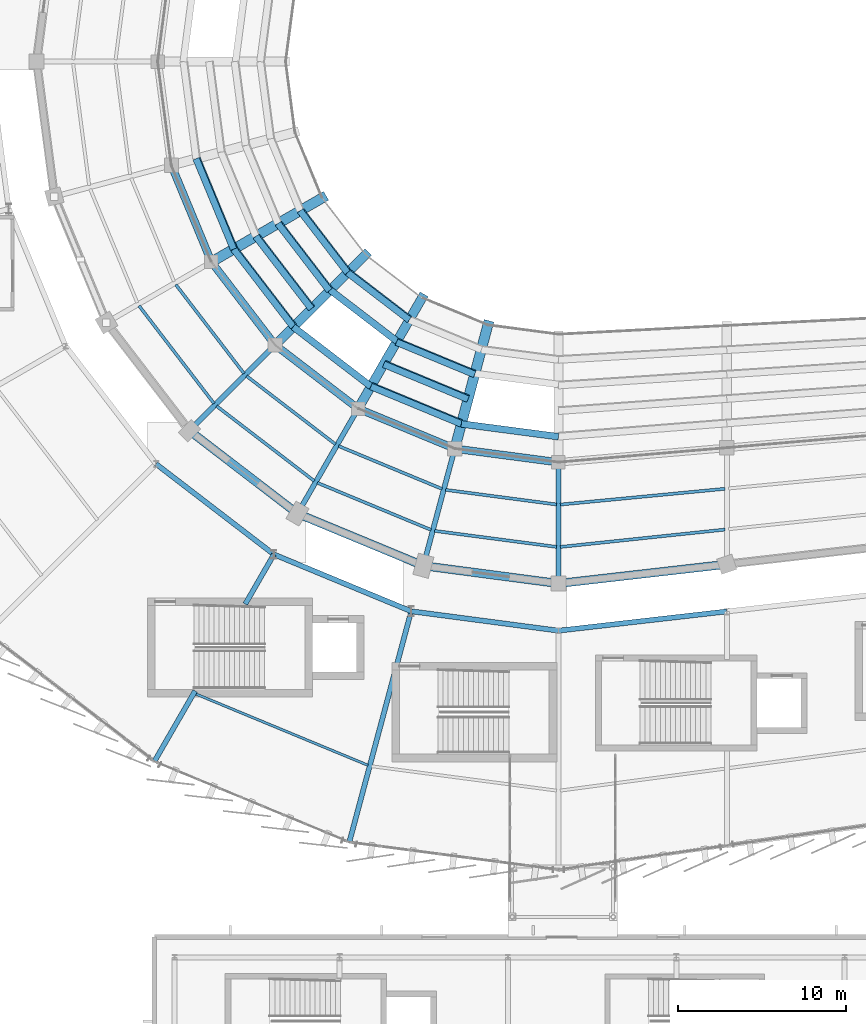
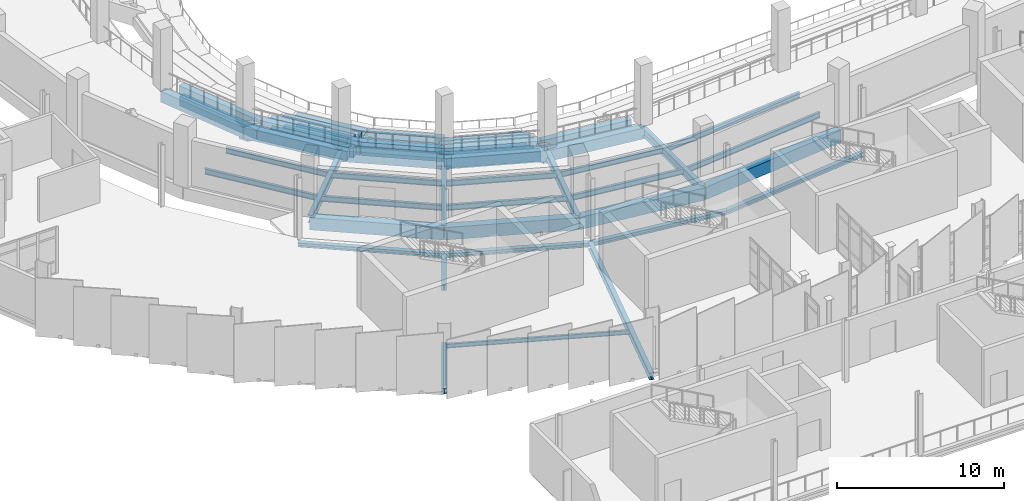
# One storey, part 40 of 134: 56 beams.
"""IFC4 building model written with IfcOpenShell, lengths in metres."""

from ifc_helpers import new_model, si_unit, direction, frame, origin, origin_2d, place, context, subcontext, project, spatial, rectangle, i_section, extrude, material, material_profile, profile_set, type_object, element, save


model = new_model("IFC4")

# Units and contexts
model_context = context("Model", 3, precision=1e-05, world=origin(), true_north=direction((0.0, 1.0)))
body_context = subcontext(model_context, "Body", "Model", "MODEL_VIEW")
ifc_project = project(units=[si_unit("LENGTHUNIT", "METRE"), si_unit("AREAUNIT", "SQUARE_METRE"), si_unit("VOLUMEUNIT", "CUBIC_METRE"), si_unit("PLANEANGLEUNIT", "RADIAN"), si_unit("MASSUNIT", "GRAM", prefix="KILO")], contexts=[model_context])

# Site, building, storey
site_placement = place(None, origin())
site = spatial("IfcSite", under=ifc_project, at=site_placement, CompositionType="ELEMENT")
building_placement = place(site_placement, origin())
building = spatial("IfcBuilding", under=site, at=building_placement, Name="Sohan Crest Arena", CompositionType="ELEMENT")
storey_placement = place(building_placement, frame((0.0, 0.0, 4.5)))
storey = spatial("IfcBuildingStorey", under=building, at=storey_placement, Name="L01", CompositionType="ELEMENT", Elevation=4.5)

# Beams
ifc_material_1 = material(Name="Steel S355", Category="steel")
ifc_material_profile_1 = material_profile(ifc_material_1, i_section(OverallWidth=0.14990234375, OverallDepth=0.300048828125, WebThickness=0.007080078125, FlangeThickness=0.0107421875, at=origin_2d()), Name="IPE 300")
ifc_profile_set_1 = profile_set([ifc_material_profile_1], Name="Steel S355")
beam_type_1 = type_object("IfcBeamType", Name="STR-BM-B01", PredefinedType="JOIST", material=ifc_profile_set_1)
beam_1_placement = place(storey_placement, frame((76.445068359375, 40.447021484375, -0.425048828125), z_axis=(0.923874316241, -0.382696025312, 0.0), x_axis=(0.382696025312, 0.923874316241, 0.0)))
element("IfcBeam", 1, at=beam_1_placement, inside=storey, type_object=beam_type_1, Name="Structural beam J-L01-1134", PredefinedType="JOIST", context=body_context, shape_type="SweptSolid", body=[
    extrude(i_section(OverallWidth=0.14990234375, OverallDepth=0.300048828125, WebThickness=0.007080078125, FlangeThickness=0.0107421875, at=origin_2d()), origin(), (0.0, 0.0, 1.0), 11.0869140625),
])
ifc_material_profile_2 = material_profile(ifc_material_1, i_section(OverallWidth=0.179931640625, OverallDepth=0.39990234375, WebThickness=0.008544921875, FlangeThickness=0.013427734375, at=origin_2d()), Name="IPE 400")
ifc_profile_set_2 = profile_set([ifc_material_profile_2], Name="Steel S355")
beam_type_2 = type_object("IfcBeamType", Name="STR-BM-B03", PredefinedType="JOIST", material=ifc_profile_set_2)
beam_2_placement = place(storey_placement, frame((75.27294921875, 64.7529296875, -0.449951171875), z_axis=(0.608761301523, -0.793353438114, 0.0), x_axis=(0.793353438114, 0.608761301523, 0.0)))
element("IfcBeam", 2, at=beam_2_placement, inside=storey, type_object=beam_type_2, Name="Structural beam J-L01-0243", PredefinedType="JOIST", context=body_context, shape_type="SweptSolid", body=[
    extrude(i_section(OverallWidth=0.179931640625, OverallDepth=0.39990234375, WebThickness=0.008544921875, FlangeThickness=0.013427734375, at=origin_2d()), origin(), (0.0, 0.0, 1.0), 6.6513671875),
])
beam_3_placement = place(storey_placement, frame((73.091064453125, 63.492919921875, -0.449951171875), z_axis=(0.608707802556, -0.793394486436, 0.0), x_axis=(0.793394486436, 0.608707802556, 0.0)))
element("IfcBeam", 3, at=beam_3_placement, inside=storey, type_object=beam_type_2, Name="Structural beam J-L01-0244", PredefinedType="JOIST", context=body_context, shape_type="SweptSolid", body=[
    extrude(i_section(OverallWidth=0.179931640625, OverallDepth=0.39990234375, WebThickness=0.008544921875, FlangeThickness=0.013427734375, at=origin_2d()), origin(), (0.0, 0.0, 1.0), 7.308837890625),
])
beam_4_placement = place(storey_placement, frame((79.47607421875, 59.322021484375, -0.449951171875), z_axis=(0.793353438114, -0.608761301523, 0.0), x_axis=(0.608761301523, 0.793353438114, 0.0)))
element("IfcBeam", 4, at=beam_4_placement, inside=storey, type_object=beam_type_2, Name="Structural beam J-L01-0265", PredefinedType="JOIST", context=body_context, shape_type="SweptSolid", body=[
    extrude(i_section(OverallWidth=0.179931640625, OverallDepth=0.39990234375, WebThickness=0.008544921875, FlangeThickness=0.013427734375, at=origin_2d()), origin(), (0.0, 0.0, 1.0), 6.6513671875),
])
beam_5_placement = place(storey_placement, frame((77.694091796875, 57.5400390625, -0.449951171875), z_axis=(0.793394486436, -0.608707802556, 0.0), x_axis=(0.608707802556, 0.793394486436, 0.0)))
element("IfcBeam", 5, at=beam_5_placement, inside=storey, type_object=beam_type_2, Name="Structural beam J-L01-0266", PredefinedType="JOIST", context=body_context, shape_type="SweptSolid", body=[
    extrude(i_section(OverallWidth=0.179931640625, OverallDepth=0.39990234375, WebThickness=0.008544921875, FlangeThickness=0.013427734375, at=origin_2d()), origin(), (0.0, 0.0, 1.0), 7.308837890625),
])
beam_6_placement = place(storey_placement, frame((84.94189453125, 55.1640625, -0.449951171875), z_axis=(0.923867831396, -0.382711680136, 0.0), x_axis=(0.382711680136, 0.923867831396, 0.0)))
element("IfcBeam", 6, at=beam_6_placement, inside=storey, type_object=beam_type_2, Name="Structural beam J-L01-0287", PredefinedType="JOIST", context=body_context, shape_type="SweptSolid", body=[
    extrude(i_section(OverallWidth=0.179931640625, OverallDepth=0.39990234375, WebThickness=0.008544921875, FlangeThickness=0.013427734375, at=origin_2d()), origin(), (0.0, 0.0, 1.0), 6.650390625),
])
beam_7_placement = place(storey_placement, frame((83.681884765625, 52.98193359375, -0.449951171875), z_axis=(0.923831158032, -0.382800197818, 0.0), x_axis=(0.382800197818, 0.923831158032, 0.0)))
element("IfcBeam", 7, at=beam_7_placement, inside=storey, type_object=beam_type_2, Name="Structural beam J-L01-0288", PredefinedType="JOIST", context=body_context, shape_type="SweptSolid", body=[
    extrude(i_section(OverallWidth=0.179931640625, OverallDepth=0.39990234375, WebThickness=0.008544921875, FlangeThickness=0.013427734375, at=origin_2d()), origin(), (0.0, 0.0, 1.0), 7.308837890625),
])
beam_8_placement = place(storey_placement, frame((91.297119140625, 52.56298828125, -0.449951171875), z_axis=(0.99142966471, -0.130641570465, 0.0), x_axis=(0.130641570465, 0.99142966471, 0.0)))
element("IfcBeam", 8, at=beam_8_placement, inside=storey, type_object=beam_type_2, Name="Structural beam J-L01-0309", PredefinedType="JOIST", context=body_context, shape_type="SweptSolid", body=[
    extrude(i_section(OverallWidth=0.179931640625, OverallDepth=0.39990234375, WebThickness=0.008544921875, FlangeThickness=0.013427734375, at=origin_2d()), origin(), (0.0, 0.0, 1.0), 6.65087890625),
])
beam_9_placement = place(storey_placement, frame((90.64501953125, 50.1279296875, -0.449951171875), z_axis=(0.991446789819, -0.13051154339, 0.0), x_axis=(0.13051154339, 0.991446789819, 0.0)))
element("IfcBeam", 9, at=beam_9_placement, inside=storey, type_object=beam_type_2, Name="Structural beam J-L01-0310", PredefinedType="JOIST", context=body_context, shape_type="SweptSolid", body=[
    extrude(i_section(OverallWidth=0.179931640625, OverallDepth=0.39990234375, WebThickness=0.008544921875, FlangeThickness=0.013427734375, at=origin_2d()), origin(), (0.0, 0.0, 1.0), 7.30859375),
])
beam_10_placement = place(storey_placement, frame((98.10888671875, 51.68994140625, -0.449951171875), z_axis=(0.995443739336, 0.095350730547, 0.0), x_axis=(-0.095350730547, 0.995443739336, 0.0)))
element("IfcBeam", 10, at=beam_10_placement, inside=storey, type_object=beam_type_2, Name="Structural beam J-L01-0331", PredefinedType="JOIST", context=body_context, shape_type="SweptSolid", body=[
    extrude(i_section(OverallWidth=0.179931640625, OverallDepth=0.39990234375, WebThickness=0.008544921875, FlangeThickness=0.013427734375, at=origin_2d()), origin(), (0.0, 0.0, 1.0), 9.826904296875),
])
beam_11_placement = place(storey_placement, frame((98.10888671875, 49.172119140625, -0.449951171875), z_axis=(0.994470991784, 0.105011649352, 0.0), x_axis=(-0.105011649352, 0.994470991784, 0.0)))
element("IfcBeam", 11, at=beam_11_placement, inside=storey, type_object=beam_type_2, Name="Structural beam J-L01-0332", PredefinedType="JOIST", context=body_context, shape_type="SweptSolid", body=[
    extrude(i_section(OverallWidth=0.179931640625, OverallDepth=0.39990234375, WebThickness=0.008544921875, FlangeThickness=0.013427734375, at=origin_2d()), origin(), (0.0, 0.0, 1.0), 9.836669921875),
])
ifc_material_profile_3 = material_profile(ifc_material_1, i_section(OverallWidth=0.300048828125, OverallDepth=0.590087890625, WebThickness=0.012939453125, FlangeThickness=0.02490234375, at=origin_2d()), Name="HEA 600")
ifc_profile_set_3 = profile_set([ifc_material_profile_3], Name="Steel S355")
beam_type_3 = type_object("IfcBeamType", Name="STR-BM-B11", PredefinedType="BEAM", material=ifc_profile_set_3)
beam_12_placement = place(storey_placement, frame((81.1708984375, 61.1708984375, -0.544921875), z_axis=(-0.707106781187, -0.707106781187, 0.0), x_axis=(0.707106781187, -0.707106781187, 0.0)))
element("IfcBeam", 12, at=beam_12_placement, inside=storey, type_object=beam_type_3, Name="Structural beam G-L01-0264", PredefinedType="BEAM", context=body_context, shape_type="SweptSolid", body=[
    extrude(i_section(OverallWidth=0.300048828125, OverallDepth=0.590087890625, WebThickness=0.012939453125, FlangeThickness=0.02490234375, at=origin_2d()), origin(), (0.0, 0.0, 1.0), 7.199462890625),
])
beam_13_placement = place(storey_placement, frame((86.10009765625, 57.388916015625, -0.544921875), z_axis=(-0.499982693035, -0.866035395735, 0.0), x_axis=(0.866035395735, -0.499982693035, 0.0)))
element("IfcBeam", 13, at=beam_13_placement, inside=storey, type_object=beam_type_3, Name="Structural beam G-L01-0286", PredefinedType="BEAM", context=body_context, shape_type="SweptSolid", body=[
    extrude(i_section(OverallWidth=0.300048828125, OverallDepth=0.590087890625, WebThickness=0.012939453125, FlangeThickness=0.02490234375, at=origin_2d()), origin(), (0.0, 0.0, 1.0), 7.200439453125),
])
beam_14_placement = place(storey_placement, frame((91.840087890625, 55.010986328125, -0.544921875), z_axis=(-0.258745124417, -0.965945630245, 0.0), x_axis=(0.965945630245, -0.258745124417, 0.0)))
element("IfcBeam", 14, at=beam_14_placement, inside=storey, type_object=beam_type_3, Name="Structural beam G-L01-0308", PredefinedType="BEAM", context=body_context, shape_type="SweptSolid", body=[
    extrude(i_section(OverallWidth=0.300048828125, OverallDepth=0.590087890625, WebThickness=0.012939453125, FlangeThickness=0.02490234375, at=origin_2d()), origin(), (0.0, 0.0, 1.0), 7.2001953125),
])
beam_15_placement = place(storey_placement, frame((98.0, 54.199951171875, -0.544921875), z_axis=(0.0, -1.0, 0.0), x_axis=(1.0, 0.0, 0.0)))
element("IfcBeam", 15, at=beam_15_placement, inside=storey, type_object=beam_type_3, Name="Structural beam G-L01-0330", PredefinedType="BEAM", context=body_context, shape_type="SweptSolid", body=[
    extrude(i_section(OverallWidth=0.300048828125, OverallDepth=0.590087890625, WebThickness=0.012939453125, FlangeThickness=0.02490234375, at=origin_2d()), origin(), (0.0, 0.0, 1.0), 7.199951171875),
])
ifc_material_profile_4 = material_profile(ifc_material_1, i_section(OverallWidth=0.300048828125, OverallDepth=0.300048828125, WebThickness=0.010986328125, FlangeThickness=0.01904296875, at=origin_2d()), Name="HEB 300")
ifc_profile_set_4 = profile_set([ifc_material_profile_4], Name="Steel S355")
beam_type_4 = type_object("IfcBeamType", Name="STR-BM-B12", PredefinedType="BEAM", material=ifc_profile_set_4)
beam_16_placement = place(storey_placement, frame((74.10009765625, 54.10009765625, -0.425048828125), z_axis=(0.793310569192, -0.608817165336, 0.0), x_axis=(0.608817165336, 0.793310569192, 0.0)))
element("IfcBeam", 16, at=beam_16_placement, inside=storey, type_object=beam_type_4, Name="Structural beam G-L01-1128", PredefinedType="BEAM", context=body_context, shape_type="SweptSolid", body=[
    extrude(i_section(OverallWidth=0.300048828125, OverallDepth=0.300048828125, WebThickness=0.010986328125, FlangeThickness=0.01904296875, at=origin_2d()), origin(), (0.0, 0.0, 1.0), 8.82373046875),
])
beam_17_placement = place(storey_placement, frame((81.10009765625, 48.72802734375, -0.425048828125), z_axis=(0.923904876385, -0.38262224111, 0.0), x_axis=(0.38262224111, 0.923904876385, 0.0)))
element("IfcBeam", 17, at=beam_17_placement, inside=storey, type_object=beam_type_4, Name="Structural beam G-L01-1132", PredefinedType="BEAM", context=body_context, shape_type="SweptSolid", body=[
    extrude(i_section(OverallWidth=0.300048828125, OverallDepth=0.300048828125, WebThickness=0.010986328125, FlangeThickness=0.01904296875, at=origin_2d()), origin(), (0.0, 0.0, 1.0), 8.8232421875),
])
beam_18_placement = place(storey_placement, frame((89.251953125, 45.35205078125, -0.425048828125), z_axis=(0.991439032147, -0.130570461953, 0.0), x_axis=(0.130570461953, 0.991439032147, 0.0)))
element("IfcBeam", 18, at=beam_18_placement, inside=storey, type_object=beam_type_4, Name="Structural beam G-L01-1136", PredefinedType="BEAM", context=body_context, shape_type="SweptSolid", body=[
    extrude(i_section(OverallWidth=0.300048828125, OverallDepth=0.300048828125, WebThickness=0.010986328125, FlangeThickness=0.01904296875, at=origin_2d()), origin(), (0.0, 0.0, 1.0), 8.823486328125),
])
beam_19_placement = place(storey_placement, frame((98.0, 44.199951171875, -0.425048828125), z_axis=(0.99353032697, 0.113567114035, 0.0), x_axis=(-0.113567114035, 0.99353032697, 0.0)))
element("IfcBeam", 19, at=beam_19_placement, inside=storey, type_object=beam_type_4, Name="Structural beam G-L01-1140", PredefinedType="BEAM", context=body_context, shape_type="SweptSolid", body=[
    extrude(i_section(OverallWidth=0.300048828125, OverallDepth=0.300048828125, WebThickness=0.010986328125, FlangeThickness=0.01904296875, at=origin_2d()), origin(), (0.0, 0.0, 1.0), 10.065185546875),
])
ifc_material_profile_5 = material_profile(ifc_material_1, i_section(OverallWidth=0.300048828125, OverallDepth=0.39990234375, WebThickness=0.013427734375, FlangeThickness=0.02392578125, at=origin_2d()), Name="HEB 400")
ifc_profile_set_5 = profile_set([ifc_material_profile_5], Name="Steel S355")
beam_type_5 = type_object("IfcBeamType", Name="STR-BM-B13", PredefinedType="BEAM", material=ifc_profile_set_5)
beam_20_placement = place(storey_placement, frame((81.10009765625, 48.72802734375, -0.47509765625), z_axis=(-0.500026652407, -0.866010015463, 0.0), x_axis=(0.866010015463, -0.500026652407, 0.0)))
element("IfcBeam", 20, at=beam_20_placement, inside=storey, type_object=beam_type_5, Name="Structural beam G-L01-1130", PredefinedType="BEAM", context=body_context, shape_type="SweptSolid", body=[
    extrude(i_section(OverallWidth=0.300048828125, OverallDepth=0.39990234375, WebThickness=0.013427734375, FlangeThickness=0.02392578125, at=origin_2d()), origin(), (0.0, 0.0, 1.0), 3.404052734375),
])
beam_21_placement = place(storey_placement, frame((76.4189453125, 40.6201171875, -0.47509765625), z_axis=(-0.500047190239, -0.865998156773, 0.0), x_axis=(0.865998156773, -0.500047190239, 0.0)))
element("IfcBeam", 21, at=beam_21_placement, inside=storey, type_object=beam_type_5, Name="Structural beam G-L01-1131", PredefinedType="BEAM", context=body_context, shape_type="SweptSolid", body=[
    extrude(i_section(OverallWidth=0.300048828125, OverallDepth=0.39990234375, WebThickness=0.013427734375, FlangeThickness=0.02392578125, at=origin_2d()), origin(), (0.0, 0.0, 1.0), 4.83740234375),
])
ifc_material_profile_6 = material_profile(ifc_material_1, i_section(OverallWidth=0.300048828125, OverallDepth=0.5, WebThickness=0.014404296875, FlangeThickness=0.028076171875, at=origin_2d()), Name="HEB 500")
ifc_profile_set_6 = profile_set([ifc_material_profile_6], Name="Steel S355")
beam_type_6 = type_object("IfcBeamType", Name="STR-BM-B14", PredefinedType="BEAM", material=ifc_profile_set_6)
beam_22_placement = place(storey_placement, frame((89.251953125, 45.35205078125, -0.52490234375), z_axis=(-0.258808560729, -0.965928635508, 0.0), x_axis=(0.965928635508, -0.258808560729, 0.0)))
element("IfcBeam", 22, at=beam_22_placement, inside=storey, type_object=beam_type_6, Name="Structural beam G-L01-1135", PredefinedType="BEAM", context=body_context, shape_type="SweptSolid", body=[
    extrude(i_section(OverallWidth=0.300048828125, OverallDepth=0.5, WebThickness=0.014404296875, FlangeThickness=0.028076171875, at=origin_2d()), origin(), (0.0, 0.0, 1.0), 14.199951171875),
])
ifc_material_2 = material(Name="Precast concrete C50/60", Category="concrete")
ifc_material_profile_7 = material_profile(ifc_material_2, rectangle(XDim=0.550048828125, YDim=0.89990234375, at=origin_2d()), Name="RAKER 550x900")
ifc_profile_set_7 = profile_set([ifc_material_profile_7], Name="Precast concrete C50/60")
beam_type_7 = type_object("IfcBeamType", Name="STR-BM-RK01", PredefinedType="USERDEFINED", material=ifc_profile_set_7)
beam_23_placement = place(storey_placement, frame((86.544921875, 66.544921875, -4.75), z_axis=(-0.622320930474, -0.622320930474, 0.474798187642), x_axis=(0.707106781187, -0.707106781187, 0.0)))
element("IfcBeam", 23, at=beam_23_placement, inside=storey, type_object=beam_type_7, Name="Structural beam RK-L01-0838", ObjectType="RAKER", PredefinedType="USERDEFINED", context=body_context, shape_type="SweptSolid", body=[
    extrude(rectangle(XDim=0.550048828125, YDim=0.89990234375, at=origin_2d()), origin(), (0.0, 0.0, 1.0), 8.635498046875),
])
ifc_material_profile_8 = material_profile(ifc_material_2, rectangle(XDim=0.550048828125, YDim=1.0, at=origin_2d()), Name="RAKER 550x1000")
ifc_profile_set_8 = profile_set([ifc_material_profile_8], Name="Precast concrete C50/60")
beam_type_8 = type_object("IfcBeamType", Name="STR-BM-RK02", PredefinedType="USERDEFINED", material=ifc_profile_set_8)
beam_24_placement = place(storey_placement, frame((89.89990234375, 63.969970703125, -4.75), z_axis=(-0.440057571207, -0.762155736922, 0.474834673018), x_axis=(0.86601224135, -0.500022797313, 0.0)))
element("IfcBeam", 24, at=beam_24_placement, inside=storey, type_object=beam_type_8, Name="Structural beam RK-L01-0841", ObjectType="RAKER", PredefinedType="USERDEFINED", context=body_context, shape_type="SweptSolid", body=[
    extrude(rectangle(XDim=0.550048828125, YDim=1.0, at=origin_2d()), origin(), (0.0, 0.0, 1.0), 8.634765625),
])
ifc_material_profile_9 = material_profile(ifc_material_2, rectangle(XDim=0.60009765625, YDim=1.10009765625, at=origin_2d()), Name="RAKER 600x1100")
ifc_profile_set_9 = profile_set([ifc_material_profile_9], Name="Precast concrete C50/60")
beam_type_9 = type_object("IfcBeamType", Name="STR-BM-RK03", PredefinedType="USERDEFINED", material=ifc_profile_set_9)
beam_25_placement = place(storey_placement, frame((83.969970703125, 69.89990234375, -4.75), z_axis=(-0.762155736922, -0.440057571207, 0.474834673018), x_axis=(0.500022797313, -0.86601224135, 0.0)))
element("IfcBeam", 25, at=beam_25_placement, inside=storey, type_object=beam_type_9, Name="Structural beam RK-L01-0835", ObjectType="RAKER", PredefinedType="USERDEFINED", context=body_context, shape_type="SweptSolid", body=[
    extrude(rectangle(XDim=0.60009765625, YDim=1.10009765625, at=origin_2d()), origin(), (0.0, 0.0, 1.0), 8.634765625),
])
beam_26_placement = place(storey_placement, frame((93.806884765625, 62.35205078125, -4.75), z_axis=(-0.227759505853, -0.850111790157, 0.47480053889), x_axis=(0.965933569863, -0.258790143963, 0.0)))
element("IfcBeam", 26, at=beam_26_placement, inside=storey, type_object=beam_type_9, Name="Structural beam RK-L01-0844", ObjectType="RAKER", PredefinedType="USERDEFINED", context=body_context, shape_type="SweptSolid", body=[
    extrude(rectangle(XDim=0.60009765625, YDim=1.10009765625, at=origin_2d()), origin(), (0.0, 0.0, 1.0), 8.635498046875),
])
ifc_material_3 = material(Name="Concrete C40/50", Category="concrete")
ifc_material_profile_10 = material_profile(ifc_material_3, rectangle(XDim=0.39990234375, YDim=0.699951171875, at=origin_2d()), Name="RC-BM 400x700")
ifc_profile_set_10 = profile_set([ifc_material_profile_10], Name="Concrete C40/50")
beam_type_10 = type_object("IfcBeamType", Name="STR-BM-TB01", PredefinedType="BEAM", material=ifc_profile_set_10)
beam_27_placement = place(storey_placement, frame((76.5380859375, 72.2490234375, -1.760986328125), z_axis=(0.382704918272, -0.923870632464, 0.0), x_axis=(0.923870632464, 0.382704918272, 0.0)))
element("IfcBeam", 27, at=beam_27_placement, inside=storey, type_object=beam_type_10, Name="Tier rear stringer beam TSB-L062B", PredefinedType="BEAM", context=body_context, shape_type="SweptSolid", body=[
    extrude(rectangle(XDim=0.39990234375, YDim=0.699951171875, at=origin_2d()), origin(), (0.0, 0.0, 1.0), 5.80078125),
])
beam_28_placement = place(storey_placement, frame((76.47900390625, 72.23291015625, -0.94091796875), z_axis=(0.38276950341, -0.92384387602, 0.0), x_axis=(0.92384387602, 0.38276950341, 0.0)))
element("IfcBeam", 28, at=beam_28_placement, inside=storey, type_object=beam_type_10, Name="Tier front stringer beam TSB-L063A", PredefinedType="BEAM", context=body_context, shape_type="SweptSolid", body=[
    extrude(rectangle(XDim=0.39990234375, YDim=0.699951171875, at=origin_2d()), origin(), (0.0, 0.0, 1.0), 5.815673828125),
])
beam_29_placement = place(storey_placement, frame((82.7060546875, 69.169921875, -4.220947265625), z_axis=(0.6088683901, -0.793271254702, 0.0), x_axis=(0.793271254702, 0.6088683901, 0.0)))
element("IfcBeam", 29, at=beam_29_placement, inside=storey, type_object=beam_type_10, Name="Tier rear stringer beam TSB-L069B", PredefinedType="BEAM", context=body_context, shape_type="SweptSolid", body=[
    extrude(rectangle(XDim=0.39990234375, YDim=0.699951171875, at=origin_2d()), origin(), (0.0, 0.0, 1.0), 4.610107421875),
])
beam_30_placement = place(storey_placement, frame((82.654052734375, 69.139892578125, -3.40087890625), z_axis=(0.608746171857, -0.793365047282, 0.0), x_axis=(0.793365047282, 0.608746171857, 0.0)))
element("IfcBeam", 30, at=beam_30_placement, inside=storey, type_object=beam_type_10, Name="Tier front stringer beam TSB-L070A", PredefinedType="BEAM", context=body_context, shape_type="SweptSolid", body=[
    extrude(rectangle(XDim=0.39990234375, YDim=0.699951171875, at=origin_2d()), origin(), (0.0, 0.0, 1.0), 4.625732421875),
])
beam_31_placement = place(storey_placement, frame((81.389892578125, 68.409912109375, -3.40087890625), z_axis=(0.608803084008, -0.793321375549, 0.0), x_axis=(0.793321375549, 0.608803084008, 0.0)))
element("IfcBeam", 31, at=beam_31_placement, inside=storey, type_object=beam_type_10, Name="Tier rear stringer beam TSB-L070B", PredefinedType="BEAM", context=body_context, shape_type="SweptSolid", body=[
    extrude(rectangle(XDim=0.39990234375, YDim=0.699951171875, at=origin_2d()), origin(), (0.0, 0.0, 1.0), 5.006591796875),
])
beam_32_placement = place(storey_placement, frame((81.337890625, 68.3798828125, -2.5810546875), z_axis=(0.608690717605, -0.793407594054, 0.0), x_axis=(0.793407594054, 0.608690717605, 0.0)))
element("IfcBeam", 32, at=beam_32_placement, inside=storey, type_object=beam_type_10, Name="Tier front stringer beam TSB-L071A", PredefinedType="BEAM", context=body_context, shape_type="SweptSolid", body=[
    extrude(rectangle(XDim=0.39990234375, YDim=0.699951171875, at=origin_2d()), origin(), (0.0, 0.0, 1.0), 5.0224609375),
])
beam_33_placement = place(storey_placement, frame((80.073974609375, 67.64990234375, -2.5810546875), z_axis=(0.608919963129, -0.793231667612, 0.0), x_axis=(0.793231667612, 0.608919963129, 0.0)))
element("IfcBeam", 33, at=beam_33_placement, inside=storey, type_object=beam_type_10, Name="Tier rear stringer beam TSB-L071B", PredefinedType="BEAM", context=body_context, shape_type="SweptSolid", body=[
    extrude(rectangle(XDim=0.39990234375, YDim=0.699951171875, at=origin_2d()), origin(), (0.0, 0.0, 1.0), 5.403076171875),
])
beam_34_placement = place(storey_placement, frame((80.02099609375, 67.6201171875, -1.760986328125), z_axis=(0.608907128445, -0.793241519922, 0.0), x_axis=(0.793241519922, 0.608907128445, 0.0)))
element("IfcBeam", 34, at=beam_34_placement, inside=storey, type_object=beam_type_10, Name="Tier front stringer beam TSB-L072A", PredefinedType="BEAM", context=body_context, shape_type="SweptSolid", body=[
    extrude(rectangle(XDim=0.39990234375, YDim=0.699951171875, at=origin_2d()), origin(), (0.0, 0.0, 1.0), 5.419677734375),
])
beam_35_placement = place(storey_placement, frame((78.758056640625, 66.889892578125, -1.760986328125), z_axis=(0.608833571626, -0.793297978102, 0.0), x_axis=(0.793297978102, 0.608833571626, 0.0)))
element("IfcBeam", 35, at=beam_35_placement, inside=storey, type_object=beam_type_10, Name="Tier rear stringer beam TSB-L072B", PredefinedType="BEAM", context=body_context, shape_type="SweptSolid", body=[
    extrude(rectangle(XDim=0.39990234375, YDim=0.699951171875, at=origin_2d()), origin(), (0.0, 0.0, 1.0), 5.799560546875),
])
beam_36_placement = place(storey_placement, frame((78.705078125, 66.860107421875, -0.94091796875), z_axis=(0.608821856907, -0.793306968677, 0.0), x_axis=(0.793306968677, 0.608821856907, 0.0)))
element("IfcBeam", 36, at=beam_36_placement, inside=storey, type_object=beam_type_10, Name="Tier front stringer beam TSB-L073A", PredefinedType="BEAM", context=body_context, shape_type="SweptSolid", body=[
    extrude(rectangle(XDim=0.39990234375, YDim=0.699951171875, at=origin_2d()), origin(), (0.0, 0.0, 1.0), 5.816162109375),
])
beam_37_placement = place(storey_placement, frame((85.512939453125, 65.512939453125, -4.220947265625), z_axis=(0.793271254702, -0.6088683901, 0.0), x_axis=(0.6088683901, 0.793271254702, 0.0)))
element("IfcBeam", 37, at=beam_37_placement, inside=storey, type_object=beam_type_10, Name="Tier rear stringer beam TSB-L079B", PredefinedType="BEAM", context=body_context, shape_type="SweptSolid", body=[
    extrude(rectangle(XDim=0.39990234375, YDim=0.699951171875, at=origin_2d()), origin(), (0.0, 0.0, 1.0), 4.610107421875),
])
beam_38_placement = place(storey_placement, frame((85.469970703125, 65.469970703125, -3.40087890625), z_axis=(0.793365047282, -0.608746171857, 0.0), x_axis=(0.608746171857, 0.793365047282, 0.0)))
element("IfcBeam", 38, at=beam_38_placement, inside=storey, type_object=beam_type_10, Name="Tier front stringer beam TSB-L080A", PredefinedType="BEAM", context=body_context, shape_type="SweptSolid", body=[
    extrude(rectangle(XDim=0.39990234375, YDim=0.699951171875, at=origin_2d()), origin(), (0.0, 0.0, 1.0), 4.625732421875),
])
beam_39_placement = place(storey_placement, frame((84.43798828125, 64.43798828125, -3.40087890625), z_axis=(0.793321375549, -0.608803084008, 0.0), x_axis=(0.608803084008, 0.793321375549, 0.0)))
element("IfcBeam", 39, at=beam_39_placement, inside=storey, type_object=beam_type_10, Name="Tier rear stringer beam TSB-L080B", PredefinedType="BEAM", context=body_context, shape_type="SweptSolid", body=[
    extrude(rectangle(XDim=0.39990234375, YDim=0.699951171875, at=origin_2d()), origin(), (0.0, 0.0, 1.0), 5.006591796875),
])
beam_40_placement = place(storey_placement, frame((82.24609375, 62.24609375, -0.94091796875), z_axis=(0.793306968677, -0.608821856907, 0.0), x_axis=(0.608821856907, 0.793306968677, 0.0)))
element("IfcBeam", 40, at=beam_40_placement, inside=storey, type_object=beam_type_10, Name="Tier front stringer beam TSB-L081A", PredefinedType="BEAM", context=body_context, shape_type="SweptSolid", body=[
    extrude(rectangle(XDim=0.39990234375, YDim=0.699951171875, at=origin_2d()), origin(), (0.0, 0.0, 1.0), 5.816162109375),
])
beam_41_placement = place(storey_placement, frame((88.409912109375, 61.389892578125, -3.40087890625), z_axis=(0.923905709582, -0.382620229211, 0.0), x_axis=(0.382620229211, 0.923905709582, 0.0)))
element("IfcBeam", 41, at=beam_41_placement, inside=storey, type_object=beam_type_10, Name="Tier rear stringer beam TSB-L084B", PredefinedType="BEAM", context=body_context, shape_type="SweptSolid", body=[
    extrude(rectangle(XDim=0.39990234375, YDim=0.699951171875, at=origin_2d()), origin(), (0.0, 0.0, 1.0), 5.007080078125),
])
beam_42_placement = place(storey_placement, frame((88.3798828125, 61.337890625, -2.5810546875), z_axis=(0.923888863856, -0.382660903729, 0.0), x_axis=(0.382660903729, 0.923888863856, 0.0)))
element("IfcBeam", 42, at=beam_42_placement, inside=storey, type_object=beam_type_10, Name="Tier front stringer beam TSB-L085A", PredefinedType="BEAM", context=body_context, shape_type="SweptSolid", body=[
    extrude(rectangle(XDim=0.39990234375, YDim=0.699951171875, at=origin_2d()), origin(), (0.0, 0.0, 1.0), 5.0224609375),
])
beam_43_placement = place(storey_placement, frame((87.64990234375, 60.073974609375, -2.5810546875), z_axis=(0.923903420529, -0.382625756497, 0.0), x_axis=(0.382625756497, 0.923903420529, 0.0)))
element("IfcBeam", 43, at=beam_43_placement, inside=storey, type_object=beam_type_10, Name="Tier rear stringer beam TSB-L085B", PredefinedType="BEAM", context=body_context, shape_type="SweptSolid", body=[
    extrude(rectangle(XDim=0.39990234375, YDim=0.699951171875, at=origin_2d()), origin(), (0.0, 0.0, 1.0), 5.404541015625),
])
beam_44_placement = place(storey_placement, frame((87.6201171875, 60.02099609375, -1.760986328125), z_axis=(0.923874622611, -0.382695285697, 0.0), x_axis=(0.382695285697, 0.923874622611, 0.0)))
element("IfcBeam", 44, at=beam_44_placement, inside=storey, type_object=beam_type_10, Name="Tier front stringer beam TSB-L086A", PredefinedType="BEAM", context=body_context, shape_type="SweptSolid", body=[
    extrude(rectangle(XDim=0.39990234375, YDim=0.699951171875, at=origin_2d()), origin(), (0.0, 0.0, 1.0), 5.41943359375),
])
beam_45_placement = place(storey_placement, frame((86.889892578125, 58.758056640625, -1.760986328125), z_axis=(0.923870632464, -0.382704918272, 0.0), x_axis=(0.382704918272, 0.923870632464, 0.0)))
element("IfcBeam", 45, at=beam_45_placement, inside=storey, type_object=beam_type_10, Name="Tier rear stringer beam TSB-L086B", PredefinedType="BEAM", context=body_context, shape_type="SweptSolid", body=[
    extrude(rectangle(XDim=0.39990234375, YDim=0.699951171875, at=origin_2d()), origin(), (0.0, 0.0, 1.0), 5.80078125),
])
beam_46_placement = place(storey_placement, frame((86.860107421875, 58.705078125, -0.94091796875), z_axis=(0.92384387602, -0.38276950341, 0.0), x_axis=(0.38276950341, 0.92384387602, 0.0)))
element("IfcBeam", 46, at=beam_46_placement, inside=storey, type_object=beam_type_10, Name="Tier front stringer beam TSB-L087A", PredefinedType="BEAM", context=body_context, shape_type="SweptSolid", body=[
    extrude(rectangle(XDim=0.39990234375, YDim=0.699951171875, at=origin_2d()), origin(), (0.0, 0.0, 1.0), 5.815673828125),
])
beam_47_placement = place(storey_placement, frame((92.23291015625, 56.47900390625, -0.94091796875), z_axis=(0.991449723502, -0.130489255371, 0.0), x_axis=(0.130489255371, 0.991449723502, 0.0)))
element("IfcBeam", 47, at=beam_47_placement, inside=storey, type_object=beam_type_10, Name="Tier front stringer beam TSB-L095A", PredefinedType="BEAM", context=body_context, shape_type="SweptSolid", body=[
    extrude(rectangle(XDim=0.39990234375, YDim=0.699951171875, at=origin_2d()), origin(), (0.0, 0.0, 1.0), 5.81689453125),
])
ifc_material_profile_11 = material_profile(ifc_material_3, rectangle(XDim=0.449951171875, YDim=0.800048828125, at=origin_2d()), Name="RC-BM 450x800")
ifc_profile_set_11 = profile_set([ifc_material_profile_11], Name="Concrete C40/50")
beam_type_11 = type_object("IfcBeamType", Name="STR-BM-TB02", PredefinedType="BEAM", material=ifc_profile_set_11)
beam_48_placement = place(storey_placement, frame((75.010986328125, 71.840087890625, -0.64990234375), z_axis=(0.382731224457, -0.92385973493, 0.0), x_axis=(0.92385973493, 0.382731224457, 0.0)))
element("IfcBeam", 48, at=beam_48_placement, inside=storey, type_object=beam_type_11, Name="Structural beam TB-L01-0218", PredefinedType="BEAM", context=body_context, shape_type="SweptSolid", body=[
    extrude(rectangle(XDim=0.449951171875, YDim=0.800048828125, at=origin_2d()), origin(), (0.0, 0.0, 1.0), 6.213134765625),
])
for number, where, z_axis, x_axis, name in (
    (49, (77.388916015625, 66.10009765625, -0.64990234375), (0.608728486864, -0.793378616602, 0.0), (0.793378616602, 0.608728486864, 0.0), "Structural beam TB-L01-0240"),
    (50, (81.1708984375, 61.1708984375, -0.64990234375), (0.793378616602, -0.608728486864, 0.0), (0.608728486864, 0.793378616602, 0.0), "Structural beam TB-L01-0262"),
):
    element("IfcBeam", number, at=place(storey_placement, frame(where, z_axis=z_axis, x_axis=x_axis)), inside=storey, type_object=beam_type_11, Name=name, PredefinedType="BEAM", context=body_context, shape_type="SweptSolid", body=[
        extrude(rectangle(XDim=0.449951171875, YDim=0.800048828125, at=origin_2d()), origin(), (0.0, 0.0, 1.0), 6.212890625),
    ])
for number, where, z_axis, x_axis, name in (
    (51, (86.10009765625, 57.388916015625, -0.64990234375), (0.92385973493, -0.382731224457, 0.0), (0.382731224457, 0.92385973493, 0.0), "Structural beam TB-L01-0284"),
    (52, (91.840087890625, 55.010986328125, -0.64990234375), (0.991443458676, -0.130536846329, 0.0), (0.130536846329, 0.991443458676, 0.0), "Structural beam TB-L01-0306"),
):
    element("IfcBeam", number, at=place(storey_placement, frame(where, z_axis=z_axis, x_axis=x_axis)), inside=storey, type_object=beam_type_11, Name=name, PredefinedType="BEAM", context=body_context, shape_type="SweptSolid", body=[
        extrude(rectangle(XDim=0.449951171875, YDim=0.800048828125, at=origin_2d()), origin(), (0.0, 0.0, 1.0), 6.213134765625),
    ])
ifc_material_profile_12 = material_profile(ifc_material_3, rectangle(XDim=0.5, YDim=0.89990234375, at=origin_2d()), Name="RC-BM 500x900")
ifc_profile_set_12 = profile_set([ifc_material_profile_12], Name="Concrete C40/50")
beam_type_12 = type_object("IfcBeamType", Name="STR-BM-TB03", PredefinedType="BEAM", material=ifc_profile_set_12)
beam_49_placement = place(storey_placement, frame((76.080078125, 56.080078125, -0.699951171875), z_axis=(0.793304243257, -0.608825408167, 0.0), x_axis=(0.608825408167, 0.793304243257, 0.0)))
element("IfcBeam", 53, at=beam_49_placement, inside=storey, type_object=beam_type_12, Name="Structural beam TB-L01-0263", PredefinedType="BEAM", context=body_context, shape_type="SweptSolid", body=[
    extrude(rectangle(XDim=0.5, YDim=0.89990234375, at=origin_2d()), origin(), (0.0, 0.0, 1.0), 8.092529296875),
])
beam_50_placement = place(storey_placement, frame((82.5, 51.153076171875, -0.699951171875), z_axis=(0.923876381497, -0.382691039498, 0.0), x_axis=(0.382691039498, 0.923876381497, 0.0)))
element("IfcBeam", 54, at=beam_50_placement, inside=storey, type_object=beam_type_12, Name="Structural beam TB-L01-0285", PredefinedType="BEAM", context=body_context, shape_type="SweptSolid", body=[
    extrude(rectangle(XDim=0.5, YDim=0.89990234375, at=origin_2d()), origin(), (0.0, 0.0, 1.0), 8.093017578125),
])
beam_51_placement = place(storey_placement, frame((89.97705078125, 48.055908203125, -0.699951171875), z_axis=(0.99145018748, -0.130485730048, 0.0), x_axis=(0.130485730048, 0.99145018748, 0.0)))
element("IfcBeam", 55, at=beam_51_placement, inside=storey, type_object=beam_type_12, Name="Structural beam TB-L01-0307", PredefinedType="BEAM", context=body_context, shape_type="SweptSolid", body=[
    extrude(rectangle(XDim=0.5, YDim=0.89990234375, at=origin_2d()), origin(), (0.0, 0.0, 1.0), 8.092041015625),
])
beam_52_placement = place(storey_placement, frame((98.0, 47.0, -0.699951171875), z_axis=(0.99353032697, 0.113567114035, 0.0), x_axis=(-0.113567114035, 0.99353032697, 0.0)))
element("IfcBeam", 56, at=beam_52_placement, inside=storey, type_object=beam_type_12, Name="Structural beam TB-L01-0329", PredefinedType="BEAM", context=body_context, shape_type="SweptSolid", body=[
    extrude(rectangle(XDim=0.5, YDim=0.89990234375, at=origin_2d()), origin(), (0.0, 0.0, 1.0), 10.065185546875),
])

save(model, "model.ifc")
